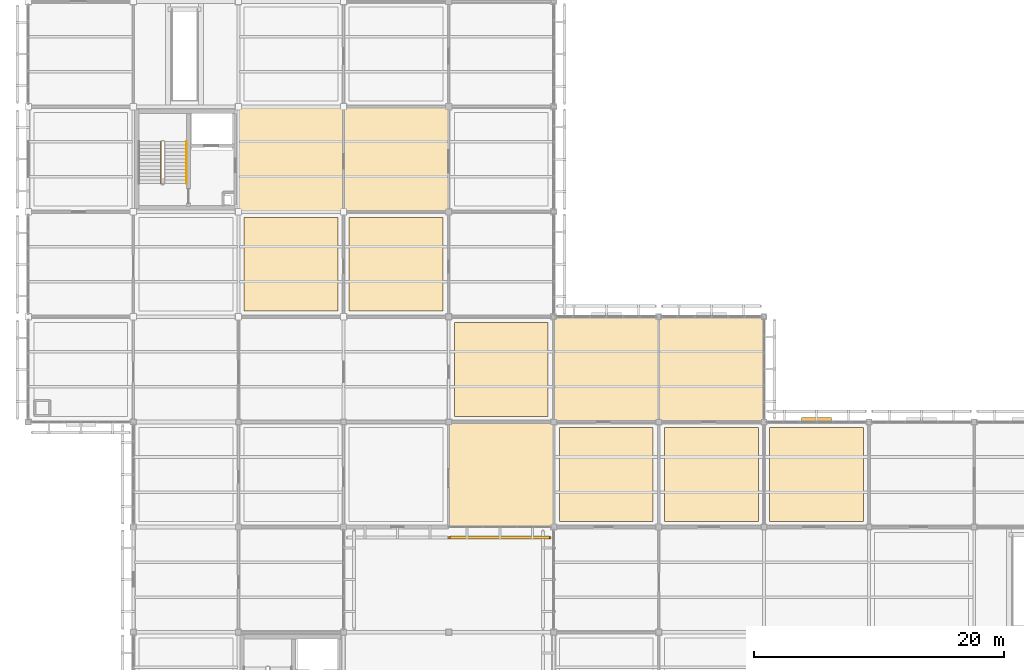
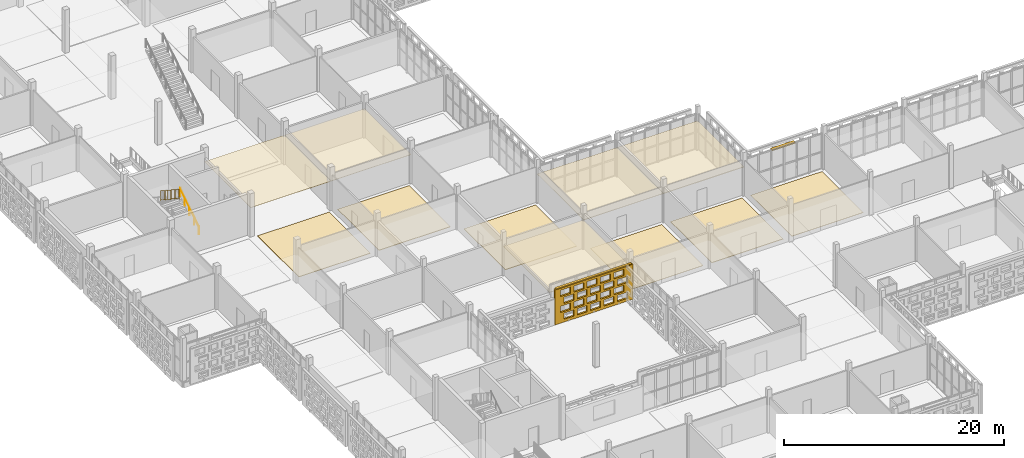
# One storey, part 145 of 203: 12 coverings, 2 railings, 2 shading devices, 20 openings.
"""IFC4 building model written with IfcOpenShell, lengths in metres."""

from ifc_helpers import new_model, si_unit, direction, frame, frame_2d, origin, origin_2d, place, context, subcontext, project, spatial, rectangle, circle, extrude, material, layer, layer_set, type_object, element, save


model = new_model("IFC4")

# Units and contexts
model_context = context("Model", 3, precision=1e-05, world=origin(), true_north=direction((0.0, 1.0)))
body_context = subcontext(model_context, "Body", "Model", "MODEL_VIEW")
ifc_project = project(units=[si_unit("LENGTHUNIT", "METRE"), si_unit("AREAUNIT", "SQUARE_METRE"), si_unit("VOLUMEUNIT", "CUBIC_METRE"), si_unit("PLANEANGLEUNIT", "RADIAN"), si_unit("MASSUNIT", "GRAM", prefix="KILO")], contexts=[model_context])

# Site, building, storey
site_placement = place(None, origin())
site = spatial("IfcSite", under=ifc_project, at=site_placement, CompositionType="ELEMENT")
building_placement = place(site_placement, origin())
building = spatial("IfcBuilding", under=site, at=building_placement, Name="Varnapada Polytechnic", CompositionType="ELEMENT")
storey_placement = place(building_placement, frame((0.0, 0.0, 4.800048828125)))
storey = spatial("IfcBuildingStorey", under=building, at=storey_placement, Name="L01", CompositionType="ELEMENT", Elevation=4.800048828125)

# Coverings
ifc_material_1 = material(Name="End-Grain Timber Studio Block Flooring", Category="wood")
ifc_layer_1 = layer(ifc_material_1, 0.054931640625)
ifc_layer_set_1 = layer_set([ifc_layer_1], Name="End-Grain Timber Studio Block Flooring")
covering_type_1 = type_object("IfcCoveringType", Name="Floor Finish FLR-04", PredefinedType="FLOORING", material=ifc_layer_set_1)
for number, where, z_axis, x_axis, name in (
    (1, (21.0, 54.60009765625, 0.0), (0.0, 0.0, 1.0), (1.0, 0.0, 0.0), "L01 floor finish panel (3,7)"),
    (2, (29.39990234375, 54.60009765625, 0.0), (0.0, 0.0, 1.0), (1.0, 0.0, 0.0), "L01 floor finish panel (4,7)"),
    (3, (37.800048828125, 46.199951171875, 0.0), (0.0, 0.0, 1.0), (1.0, 0.0, 0.0), "L01 floor finish panel (5,6)"),
    (4, (54.60009765625, 37.800048828125, 0.0), (0.0, 0.0, 1.0), (1.0, 0.0, 0.0), "L01 floor finish panel (7,5)"),
):
    element("IfcCovering", number, at=place(storey_placement, frame(where, z_axis=z_axis, x_axis=x_axis)), inside=storey, type_object=covering_type_1, Name=name, PredefinedType="FLOORING", context=body_context, shape_type="SweptSolid", body=[
        extrude(rectangle(XDim=7.5, YDim=7.5, at=origin_2d()), origin(), (0.0, 0.0, 1.0), 0.054931640625),
    ])
ifc_material_2 = material(Name="Acoustic Rubber Seminar Flooring")
ifc_layer_2 = layer(ifc_material_2, 0.0400390625)
ifc_layer_set_2 = layer_set([ifc_layer_2], Name="Acoustic Rubber Seminar Flooring")
covering_type_2 = type_object("IfcCoveringType", Name="Floor Finish FLR-06", PredefinedType="FLOORING", material=ifc_layer_set_2)
for number, where, z_axis, x_axis, name in (
    (5, (46.199951171875, 37.800048828125, 0.0), (0.0, 0.0, 1.0), (1.0, 0.0, 0.0), "L01 floor finish panel (6,5)"),
    (6, (63.0, 37.800048828125, 0.0), (0.0, 0.0, 1.0), (1.0, 0.0, 0.0), "L01 floor finish panel (8,5)"),
):
    element("IfcCovering", number, at=place(storey_placement, frame(where, z_axis=z_axis, x_axis=x_axis)), inside=storey, type_object=covering_type_2, Name=name, PredefinedType="FLOORING", context=body_context, shape_type="SweptSolid", body=[
        extrude(rectangle(XDim=7.5, YDim=7.5, at=origin_2d()), origin(), (0.0, 0.0, 1.0), 0.0400390625),
    ])

# Shading device
ifc_material_3 = material(Name="Anodised aluminium", Category="aluminium")
ifc_layer_3 = layer(ifc_material_3, 0.35009765625)
ifc_layer_set_3 = layer_set([ifc_layer_3], Name="Anodised aluminium")
shading_device_type_1 = type_object("IfcShadingDeviceType", Name="Solar Louvre LVR-01", PredefinedType="JALOUSIE", material=ifc_layer_set_3)
shading_device_1_placement = place(storey_placement, frame((63.010009765625, 42.179931640625, 3.760009765625), z_axis=(0.0, 0.0, 1.0), x_axis=(1.0, 0.0, 0.0)))
element("IfcShadingDevice", 7, at=shading_device_1_placement, inside=storey, type_object=shading_device_type_1, Name="L01 aluminium sun louvre 55", PredefinedType="JALOUSIE", context=body_context, shape_type="SweptSolid", body=[
    extrude(rectangle(XDim=2.39990234375, YDim=0.340087890625, at=origin_2d()), origin(), (0.0, 0.0, 1.0), 0.1201171875),
])

# Railings
ifc_material_4 = material(Name="Brushed Stainless Steel 316", Category="steel")
railing_type_1 = type_object("IfcRailingType", Name="Stair Wall Handrail SHR-01", PredefinedType="HANDRAIL", material=ifc_material_4)
railing_1_placement = place(storey_placement, frame((12.64990234375, 61.050048828125, 0.1845703125)))
element("IfcRailing", 8, at=railing_1_placement, inside=storey, type_object=railing_type_1, Name="L01 ST-2 stair handrail 1", PredefinedType="HANDRAIL", context=body_context, shape_type="SweptSolid", body=[
    extrude(circle(Radius=0.02392578125, at=origin_2d()), frame((0.0, 0.0, 0.8759765625), z_axis=(0.0, 0.834858096282, 0.550465220583), x_axis=(-1.0, 0.0, 0.0)), (0.0, 0.0, 1.0), 4.0244140625),
    extrude(circle(Radius=0.02099609375, at=origin_2d()), origin(), (0.0, 0.0, 1.0), 0.851806640625),
    extrude(circle(Radius=0.02099609375, at=origin_2d()), frame((0.0, 0.83984375, 0.5537109375)), (0.0, 0.0, 1.0), 0.851806640625),
    extrude(circle(Radius=0.02099609375, at=origin_2d()), frame((0.0, 1.679931640625, 1.107666015625)), (0.0, 0.0, 1.0), 0.851806640625),
    extrude(circle(Radius=0.02099609375, at=origin_2d()), frame((0.0, 2.52001953125, 1.66162109375)), (0.0, 0.0, 1.0), 0.851806640625),
    extrude(circle(Radius=0.02099609375, at=origin_2d()), frame((0.0, 3.35986328125, 2.21533203125)), (0.0, 0.0, 1.0), 0.851806640625),
])
railing_type_2 = type_object("IfcRailingType", Name="Stair Well Guard Rail SGR-01", PredefinedType="BALUSTRADE", material=ifc_material_4)
railing_2_placement = place(storey_placement, frame((10.60009765625, 64.409912109375, 2.58447265625)))
element("IfcRailing", 9, at=railing_2_placement, inside=storey, type_object=railing_type_2, Name="L01 ST-2 stair guard 3", PredefinedType="BALUSTRADE", context=body_context, shape_type="SweptSolid", body=[
    extrude(circle(Radius=0.02392578125, at=origin_2d()), frame((0.0, 0.0, 1.09619140625), z_axis=(0.0, -0.83483021737, 0.550507500554), x_axis=(1.0, 0.0, 0.0)), (0.0, 0.0, 1.0), 4.024658203125),
    extrude(circle(Radius=0.02392578125, at=origin_2d()), frame((0.0, 0.0, 0.10009765625), z_axis=(0.0, -0.83483021737, 0.550507500554), x_axis=(1.0, 0.0, 0.0)), (0.0, 0.0, 1.0), 4.024658203125),
    extrude(circle(Radius=0.02099609375, at=origin_2d()), origin(), (0.0, 0.0, 1.0), 1.072021484375),
    extrude(circle(Radius=0.02099609375, at=origin_2d()), frame((0.0, -0.83984375, 0.553955078125)), (0.0, 0.0, 1.0), 1.072021484375),
    extrude(circle(Radius=0.02099609375, at=origin_2d()), frame((0.0, -1.679931640625, 1.10791015625)), (0.0, 0.0, 1.0), 1.072021484375),
    extrude(circle(Radius=0.02099609375, at=origin_2d()), frame((0.0, -2.52001953125, 1.66162109375)), (0.0, 0.0, 1.0), 1.072021484375),
    extrude(circle(Radius=0.02099609375, at=origin_2d()), frame((0.0, -3.35986328125, 2.215576171875)), (0.0, 0.0, 1.0), 1.072021484375),
    extrude(circle(Radius=0.010009765625, at=origin_2d()), frame((0.0, -0.2099609375, 0.238525390625)), (0.0, 0.0, 1.0), 0.971923828125),
    extrude(circle(Radius=0.010009765625, at=origin_2d()), frame((0.0, -0.419921875, 0.376953125)), (0.0, 0.0, 1.0), 0.971923828125),
    extrude(circle(Radius=0.010009765625, at=origin_2d()), frame((0.0, -0.6298828125, 0.515625)), (0.0, 0.0, 1.0), 0.971923828125),
    extrude(circle(Radius=0.010009765625, at=origin_2d()), frame((0.0, -0.83984375, 0.654052734375)), (0.0, 0.0, 1.0), 0.971923828125),
    extrude(circle(Radius=0.010009765625, at=origin_2d()), frame((0.0, -1.050048828125, 0.79248046875)), (0.0, 0.0, 1.0), 0.971923828125),
    extrude(circle(Radius=0.010009765625, at=origin_2d()), frame((0.0, -1.260009765625, 0.930908203125)), (0.0, 0.0, 1.0), 0.971923828125),
    extrude(circle(Radius=0.010009765625, at=origin_2d()), frame((0.0, -1.469970703125, 1.0693359375)), (0.0, 0.0, 1.0), 0.971923828125),
    extrude(circle(Radius=0.010009765625, at=origin_2d()), frame((0.0, -1.679931640625, 1.2080078125)), (0.0, 0.0, 1.0), 0.971923828125),
    extrude(circle(Radius=0.010009765625, at=origin_2d()), frame((0.0, -1.889892578125, 1.346435546875)), (0.0, 0.0, 1.0), 0.971923828125),
    extrude(circle(Radius=0.010009765625, at=origin_2d()), frame((0.0, -2.099853515625, 1.48486328125)), (0.0, 0.0, 1.0), 0.971923828125),
    extrude(circle(Radius=0.010009765625, at=origin_2d()), frame((0.0, -2.309814453125, 1.623291015625)), (0.0, 0.0, 1.0), 0.971923828125),
    extrude(circle(Radius=0.010009765625, at=origin_2d()), frame((0.0, -2.52001953125, 1.76171875)), (0.0, 0.0, 1.0), 0.971923828125),
    extrude(circle(Radius=0.010009765625, at=origin_2d()), frame((0.0, -2.72998046875, 1.900146484375)), (0.0, 0.0, 1.0), 0.971923828125),
    extrude(circle(Radius=0.010009765625, at=origin_2d()), frame((0.0, -2.93994140625, 2.038818359375)), (0.0, 0.0, 1.0), 0.971923828125),
    extrude(circle(Radius=0.010009765625, at=origin_2d()), frame((0.0, -3.14990234375, 2.17724609375)), (0.0, 0.0, 1.0), 0.971923828125),
])

# Coverings
ifc_material_5 = material(Name="Mineral Fibre Acoustic Ceiling Tile")
ifc_layer_4 = layer(ifc_material_5, 0.0400390625)
ifc_layer_set_4 = layer_set([ifc_layer_4], Name="Mineral Fibre Acoustic Ceiling Tile")
covering_type_3 = type_object("IfcCoveringType", Name="Suspended Ceiling CLG-01", PredefinedType="CEILING", material=ifc_layer_set_4)
covering_1_placement = place(storey_placement, frame((21.0, 63.0, 3.030029296875), z_axis=(0.0, 0.0, 1.0), x_axis=(1.0, 0.0, 0.0)))
element("IfcCovering", 10, at=covering_1_placement, inside=storey, type_object=covering_type_3, Name="L01 suspended acoustic ceiling (3,8)", PredefinedType="CEILING", context=body_context, shape_type="SweptSolid", body=[
    extrude(rectangle(XDim=8.419921875, YDim=8.419921875, at=origin_2d()), origin(), (0.0, 0.0, 1.0), 0.0400390625),
])
ifc_material_6 = material(Name="Perforated Timber Slatted Baffle Ceiling", Category="wood")
ifc_layer_5 = layer(ifc_material_6, 0.050048828125)
ifc_layer_set_5 = layer_set([ifc_layer_5], Name="Perforated Timber Slatted Baffle Ceiling")
covering_type_4 = type_object("IfcCoveringType", Name="Suspended Ceiling CLG-02", PredefinedType="CEILING", material=ifc_layer_set_5)
covering_2_placement = place(storey_placement, frame((37.800048828125, 37.800048828125, 3.02490234375), z_axis=(0.0, 0.0, 1.0), x_axis=(1.0, 0.0, 0.0)))
element("IfcCovering", 11, at=covering_2_placement, inside=storey, type_object=covering_type_4, Name="L01 suspended acoustic ceiling (5,5)", PredefinedType="CEILING", context=body_context, shape_type="SweptSolid", body=[
    extrude(rectangle(XDim=8.419921875, YDim=8.419921875, at=origin_2d()), origin(), (0.0, 0.0, 1.0), 0.050048828125),
])
ifc_material_7 = material(Name="Micro-Perforated Gypsum Acoustic Ceiling")
ifc_layer_6 = layer(ifc_material_7, 0.044921875)
ifc_layer_set_6 = layer_set([ifc_layer_6], Name="Micro-Perforated Gypsum Acoustic Ceiling")
covering_type_5 = type_object("IfcCoveringType", Name="Suspended Ceiling CLG-04", PredefinedType="CEILING", material=ifc_layer_set_6)
covering_3_placement = place(storey_placement, frame((46.199951171875, 46.199951171875, 3.027587890625), z_axis=(0.0, 0.0, 1.0), x_axis=(1.0, 0.0, 0.0)))
element("IfcCovering", 12, at=covering_3_placement, inside=storey, type_object=covering_type_5, Name="L01 suspended acoustic ceiling (6,6)", PredefinedType="CEILING", context=body_context, shape_type="SweptSolid", body=[
    extrude(rectangle(XDim=8.419921875, YDim=8.419921875, at=origin_2d()), origin(), (0.0, 0.0, 1.0), 0.044921875),
])
ifc_material_8 = material(Name="Cleanroom Laboratory Metal Pan Ceiling")
ifc_layer_7 = layer(ifc_material_8, 0.034912109375)
ifc_layer_set_7 = layer_set([ifc_layer_7], Name="Cleanroom Laboratory Metal Pan Ceiling")
covering_type_6 = type_object("IfcCoveringType", Name="Suspended Ceiling CLG-06", PredefinedType="CEILING", material=ifc_layer_set_7)
covering_4_placement = place(storey_placement, frame((29.39990234375, 63.0, 3.03271484375), z_axis=(0.0, 0.0, 1.0), x_axis=(1.0, 0.0, 0.0)))
element("IfcCovering", 13, at=covering_4_placement, inside=storey, type_object=covering_type_6, Name="L01 suspended acoustic ceiling (4,8)", PredefinedType="CEILING", context=body_context, shape_type="SweptSolid", body=[
    extrude(rectangle(XDim=8.419921875, YDim=8.419921875, at=origin_2d()), origin(), (0.0, 0.0, 1.0), 0.034912109375),
])
ifc_material_9 = material(Name="Deep Acoustic Auditorium Cloud Baffle")
ifc_layer_8 = layer(ifc_material_9, 0.06494140625)
ifc_layer_set_8 = layer_set([ifc_layer_8], Name="Deep Acoustic Auditorium Cloud Baffle")
covering_type_7 = type_object("IfcCoveringType", Name="Suspended Ceiling CLG-07", PredefinedType="CEILING", material=ifc_layer_set_8)
covering_5_placement = place(storey_placement, frame((54.60009765625, 46.199951171875, 3.017578125), z_axis=(0.0, 0.0, 1.0), x_axis=(1.0, 0.0, 0.0)))
element("IfcCovering", 14, at=covering_5_placement, inside=storey, type_object=covering_type_7, Name="L01 suspended acoustic ceiling (7,6)", PredefinedType="CEILING", context=body_context, shape_type="SweptSolid", body=[
    extrude(rectangle(XDim=8.419921875, YDim=8.419921875, at=origin_2d()), origin(), (0.0, 0.0, 1.0), 0.06494140625),
])

# Covering, openings
ifc_material_10 = material(Name="Earth-toned architectural terracotta screen block", Category="masonry")
ifc_layer_9 = layer(ifc_material_10, 0.1201171875)
ifc_layer_set_9 = layer_set([ifc_layer_9], Name="Earth-toned architectural terracotta screen block")
covering_type_8 = type_object("IfcCoveringType", Name="Terracotta Screen Cladding CLD-01", PredefinedType="CLADDING", material=ifc_layer_set_9)
covering_6_placement = place(storey_placement, frame((41.77001953125, 32.75, 0.0), z_axis=(0.0, 0.0, 1.0), x_axis=(-1.0, 0.0, 0.0)))
covering_6 = element("IfcCovering", 15, at=covering_6_placement, inside=storey, type_object=covering_type_8, Name="L01 perforated terracotta block screen (30)", PredefinedType="CLADDING", context=body_context, shape_type="SweptSolid", body=[
    extrude(rectangle(XDim=8.169921875, YDim=0.179931640625, at=frame_2d((4.0849609375, 0.0))), origin(), (0.0, 0.0, 1.0), 3.919921875),
])
opening_1_placement = place(covering_6_placement, frame((0.5849609375, 0.0, 0.313720703125)))
element("IfcOpeningElement", 16, at=opening_1_placement, cuts=covering_6, Name="Screen perforation TBS-L01-029.1", PredefinedType="OPENING", context=body_context, shape_type="SweptSolid", body=[
    extrude(rectangle(XDim=1.0400390625, YDim=0.679931640625, at=frame_2d((0.52001953125, 0.33984375))), frame((0.0, 0.099853515625, 0.0), z_axis=(0.0, -1.0, 0.0), x_axis=(1.0, 0.0, 0.0)), (0.0, 0.0, 1.0), 0.199951171875),
])
opening_2_placement = place(covering_6_placement, frame((1.985107421875, 0.0, 0.313720703125)))
element("IfcOpeningElement", 17, at=opening_2_placement, cuts=covering_6, Name="Screen perforation TBS-L01-029.2", PredefinedType="OPENING", context=body_context, shape_type="SweptSolid", body=[
    extrude(rectangle(XDim=1.0400390625, YDim=0.679931640625, at=frame_2d((0.52001953125, 0.33984375))), frame((0.0, 0.099853515625, 0.0), z_axis=(0.0, -1.0, 0.0), x_axis=(1.0, 0.0, 0.0)), (0.0, 0.0, 1.0), 0.199951171875),
])
opening_3_placement = place(covering_6_placement, frame((3.385009765625, 0.0, 0.313720703125)))
element("IfcOpeningElement", 18, at=opening_3_placement, cuts=covering_6, Name="Screen perforation TBS-L01-029.3", PredefinedType="OPENING", context=body_context, shape_type="SweptSolid", body=[
    extrude(rectangle(XDim=1.0400390625, YDim=0.679931640625, at=frame_2d((0.52001953125, 0.33984375))), frame((0.0, 0.099853515625, 0.0), z_axis=(0.0, -1.0, 0.0), x_axis=(1.0, 0.0, 0.0)), (0.0, 0.0, 1.0), 0.199951171875),
])
opening_4_placement = place(covering_6_placement, frame((4.784912109375, 0.0, 0.313720703125)))
element("IfcOpeningElement", 19, at=opening_4_placement, cuts=covering_6, Name="Screen perforation TBS-L01-029.4", PredefinedType="OPENING", context=body_context, shape_type="SweptSolid", body=[
    extrude(rectangle(XDim=1.0400390625, YDim=0.679931640625, at=frame_2d((0.52001953125, 0.33984375))), frame((0.0, 0.099853515625, 0.0), z_axis=(0.0, -1.0, 0.0), x_axis=(1.0, 0.0, 0.0)), (0.0, 0.0, 1.0), 0.199951171875),
])
opening_5_placement = place(covering_6_placement, frame((6.18505859375, 0.0, 0.313720703125)))
element("IfcOpeningElement", 20, at=opening_5_placement, cuts=covering_6, Name="Screen perforation TBS-L01-029.5", PredefinedType="OPENING", context=body_context, shape_type="SweptSolid", body=[
    extrude(rectangle(XDim=1.0400390625, YDim=0.679931640625, at=frame_2d((0.52001953125, 0.33984375))), frame((0.0, 0.099853515625, 0.0), z_axis=(0.0, -1.0, 0.0), x_axis=(1.0, 0.0, 0.0)), (0.0, 0.0, 1.0), 0.199951171875),
])
opening_6_placement = place(covering_6_placement, frame((0.945068359375, 0.0, 1.195556640625)))
element("IfcOpeningElement", 21, at=opening_6_placement, cuts=covering_6, Name="Screen perforation TBS-L01-029.6", PredefinedType="OPENING", context=body_context, shape_type="SweptSolid", body=[
    extrude(rectangle(XDim=1.0400390625, YDim=0.679931640625, at=frame_2d((0.52001953125, 0.33984375))), frame((0.0, 0.099853515625, 0.0), z_axis=(0.0, -1.0, 0.0), x_axis=(1.0, 0.0, 0.0)), (0.0, 0.0, 1.0), 0.199951171875),
])
opening_7_placement = place(covering_6_placement, frame((2.344970703125, 0.0, 1.195556640625)))
element("IfcOpeningElement", 22, at=opening_7_placement, cuts=covering_6, Name="Screen perforation TBS-L01-029.7", PredefinedType="OPENING", context=body_context, shape_type="SweptSolid", body=[
    extrude(rectangle(XDim=1.0400390625, YDim=0.679931640625, at=frame_2d((0.52001953125, 0.33984375))), frame((0.0, 0.099853515625, 0.0), z_axis=(0.0, -1.0, 0.0), x_axis=(1.0, 0.0, 0.0)), (0.0, 0.0, 1.0), 0.199951171875),
])
opening_8_placement = place(covering_6_placement, frame((3.7451171875, 0.0, 1.195556640625)))
element("IfcOpeningElement", 23, at=opening_8_placement, cuts=covering_6, Name="Screen perforation TBS-L01-029.8", PredefinedType="OPENING", context=body_context, shape_type="SweptSolid", body=[
    extrude(rectangle(XDim=1.0400390625, YDim=0.679931640625, at=frame_2d((0.52001953125, 0.33984375))), frame((0.0, 0.099853515625, 0.0), z_axis=(0.0, -1.0, 0.0), x_axis=(1.0, 0.0, 0.0)), (0.0, 0.0, 1.0), 0.199951171875),
])
opening_9_placement = place(covering_6_placement, frame((5.14501953125, 0.0, 1.195556640625)))
element("IfcOpeningElement", 24, at=opening_9_placement, cuts=covering_6, Name="Screen perforation TBS-L01-029.9", PredefinedType="OPENING", context=body_context, shape_type="SweptSolid", body=[
    extrude(rectangle(XDim=1.0400390625, YDim=0.679931640625, at=frame_2d((0.52001953125, 0.33984375))), frame((0.0, 0.099853515625, 0.0), z_axis=(0.0, -1.0, 0.0), x_axis=(1.0, 0.0, 0.0)), (0.0, 0.0, 1.0), 0.199951171875),
])
opening_10_placement = place(covering_6_placement, frame((6.544921875, 0.0, 1.195556640625)))
element("IfcOpeningElement", 25, at=opening_10_placement, cuts=covering_6, Name="Screen perforation TBS-L01-029.10", PredefinedType="OPENING", context=body_context, shape_type="SweptSolid", body=[
    extrude(rectangle(XDim=1.0400390625, YDim=0.679931640625, at=frame_2d((0.52001953125, 0.33984375))), frame((0.0, 0.099853515625, 0.0), z_axis=(0.0, -1.0, 0.0), x_axis=(1.0, 0.0, 0.0)), (0.0, 0.0, 1.0), 0.199951171875),
])
opening_11_placement = place(covering_6_placement, frame((0.5849609375, 0.0, 2.07763671875)))
element("IfcOpeningElement", 26, at=opening_11_placement, cuts=covering_6, Name="Screen perforation TBS-L01-029.11", PredefinedType="OPENING", context=body_context, shape_type="SweptSolid", body=[
    extrude(rectangle(XDim=1.0400390625, YDim=0.679931640625, at=frame_2d((0.52001953125, 0.33984375))), frame((0.0, 0.099853515625, 0.0), z_axis=(0.0, -1.0, 0.0), x_axis=(1.0, 0.0, 0.0)), (0.0, 0.0, 1.0), 0.199951171875),
])
opening_12_placement = place(covering_6_placement, frame((1.985107421875, 0.0, 2.07763671875)))
element("IfcOpeningElement", 27, at=opening_12_placement, cuts=covering_6, Name="Screen perforation TBS-L01-029.12", PredefinedType="OPENING", context=body_context, shape_type="SweptSolid", body=[
    extrude(rectangle(XDim=1.0400390625, YDim=0.679931640625, at=frame_2d((0.52001953125, 0.33984375))), frame((0.0, 0.099853515625, 0.0), z_axis=(0.0, -1.0, 0.0), x_axis=(1.0, 0.0, 0.0)), (0.0, 0.0, 1.0), 0.199951171875),
])
opening_13_placement = place(covering_6_placement, frame((3.385009765625, 0.0, 2.07763671875)))
element("IfcOpeningElement", 28, at=opening_13_placement, cuts=covering_6, Name="Screen perforation TBS-L01-029.13", PredefinedType="OPENING", context=body_context, shape_type="SweptSolid", body=[
    extrude(rectangle(XDim=1.0400390625, YDim=0.679931640625, at=frame_2d((0.52001953125, 0.33984375))), frame((0.0, 0.099853515625, 0.0), z_axis=(0.0, -1.0, 0.0), x_axis=(1.0, 0.0, 0.0)), (0.0, 0.0, 1.0), 0.199951171875),
])
opening_14_placement = place(covering_6_placement, frame((4.784912109375, 0.0, 2.07763671875)))
element("IfcOpeningElement", 29, at=opening_14_placement, cuts=covering_6, Name="Screen perforation TBS-L01-029.14", PredefinedType="OPENING", context=body_context, shape_type="SweptSolid", body=[
    extrude(rectangle(XDim=1.0400390625, YDim=0.679931640625, at=frame_2d((0.52001953125, 0.33984375))), frame((0.0, 0.099853515625, 0.0), z_axis=(0.0, -1.0, 0.0), x_axis=(1.0, 0.0, 0.0)), (0.0, 0.0, 1.0), 0.199951171875),
])
opening_15_placement = place(covering_6_placement, frame((6.18505859375, 0.0, 2.07763671875)))
element("IfcOpeningElement", 30, at=opening_15_placement, cuts=covering_6, Name="Screen perforation TBS-L01-029.15", PredefinedType="OPENING", context=body_context, shape_type="SweptSolid", body=[
    extrude(rectangle(XDim=1.0400390625, YDim=0.679931640625, at=frame_2d((0.52001953125, 0.33984375))), frame((0.0, 0.099853515625, 0.0), z_axis=(0.0, -1.0, 0.0), x_axis=(1.0, 0.0, 0.0)), (0.0, 0.0, 1.0), 0.199951171875),
])
opening_16_placement = place(covering_6_placement, frame((0.945068359375, 0.0, 2.959716796875)))
element("IfcOpeningElement", 31, at=opening_16_placement, cuts=covering_6, Name="Screen perforation TBS-L01-029.16", PredefinedType="OPENING", context=body_context, shape_type="SweptSolid", body=[
    extrude(rectangle(XDim=1.0400390625, YDim=0.679931640625, at=frame_2d((0.52001953125, 0.33984375))), frame((0.0, 0.099853515625, 0.0), z_axis=(0.0, -1.0, 0.0), x_axis=(1.0, 0.0, 0.0)), (0.0, 0.0, 1.0), 0.199951171875),
])
opening_17_placement = place(covering_6_placement, frame((2.344970703125, 0.0, 2.959716796875)))
element("IfcOpeningElement", 32, at=opening_17_placement, cuts=covering_6, Name="Screen perforation TBS-L01-029.17", PredefinedType="OPENING", context=body_context, shape_type="SweptSolid", body=[
    extrude(rectangle(XDim=1.0400390625, YDim=0.679931640625, at=frame_2d((0.52001953125, 0.33984375))), frame((0.0, 0.099853515625, 0.0), z_axis=(0.0, -1.0, 0.0), x_axis=(1.0, 0.0, 0.0)), (0.0, 0.0, 1.0), 0.199951171875),
])
opening_18_placement = place(covering_6_placement, frame((3.7451171875, 0.0, 2.959716796875)))
element("IfcOpeningElement", 33, at=opening_18_placement, cuts=covering_6, Name="Screen perforation TBS-L01-029.18", PredefinedType="OPENING", context=body_context, shape_type="SweptSolid", body=[
    extrude(rectangle(XDim=1.0400390625, YDim=0.679931640625, at=frame_2d((0.52001953125, 0.33984375))), frame((0.0, 0.099853515625, 0.0), z_axis=(0.0, -1.0, 0.0), x_axis=(1.0, 0.0, 0.0)), (0.0, 0.0, 1.0), 0.199951171875),
])
opening_19_placement = place(covering_6_placement, frame((5.14501953125, 0.0, 2.959716796875)))
element("IfcOpeningElement", 34, at=opening_19_placement, cuts=covering_6, Name="Screen perforation TBS-L01-029.19", PredefinedType="OPENING", context=body_context, shape_type="SweptSolid", body=[
    extrude(rectangle(XDim=1.0400390625, YDim=0.679931640625, at=frame_2d((0.52001953125, 0.33984375))), frame((0.0, 0.099853515625, 0.0), z_axis=(0.0, -1.0, 0.0), x_axis=(1.0, 0.0, 0.0)), (0.0, 0.0, 1.0), 0.199951171875),
])
opening_20_placement = place(covering_6_placement, frame((6.544921875, 0.0, 2.959716796875)))
element("IfcOpeningElement", 35, at=opening_20_placement, cuts=covering_6, Name="Screen perforation TBS-L01-029.20", PredefinedType="OPENING", context=body_context, shape_type="SweptSolid", body=[
    extrude(rectangle(XDim=1.0400390625, YDim=0.679931640625, at=frame_2d((0.52001953125, 0.33984375))), frame((0.0, 0.099853515625, 0.0), z_axis=(0.0, -1.0, 0.0), x_axis=(1.0, 0.0, 0.0)), (0.0, 0.0, 1.0), 0.199951171875),
])

# Shading device
ifc_layer_10 = layer(ifc_material_10, 0.179931640625)
ifc_layer_set_10 = layer_set([ifc_layer_10], Name="Earth-toned architectural terracotta screen block")
shading_device_type_2 = type_object("IfcShadingDeviceType", Name="Terracotta Screen SCR-02", PredefinedType="USERDEFINED", material=ifc_layer_set_10)
shading_device_2_placement = place(storey_placement, frame((37.68505859375, 32.75, 3.909912109375), z_axis=(0.0, 0.0, 1.0), x_axis=(-1.0, 0.0, 0.0)))
element("IfcShadingDevice", 36, at=shading_device_2_placement, inside=storey, type_object=shading_device_type_2, Name="L01 perforated terracotta screen hood 111", ObjectType="SCREEN", PredefinedType="USERDEFINED", context=body_context, shape_type="SweptSolid", body=[
    extrude(rectangle(XDim=7.969970703125, YDim=0.239990234375, at=origin_2d()), origin(), (0.0, 0.0, 1.0), 0.10009765625),
])

save(model, "model.ifc")
